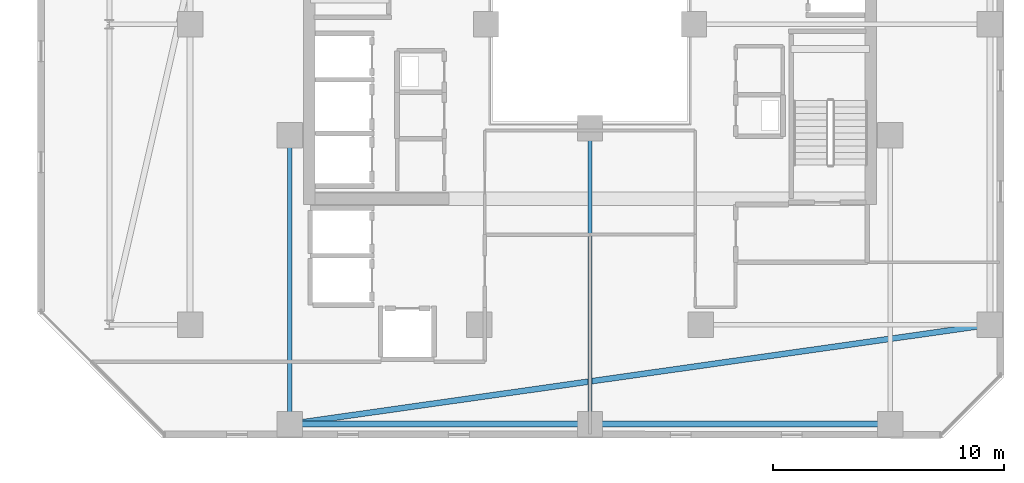
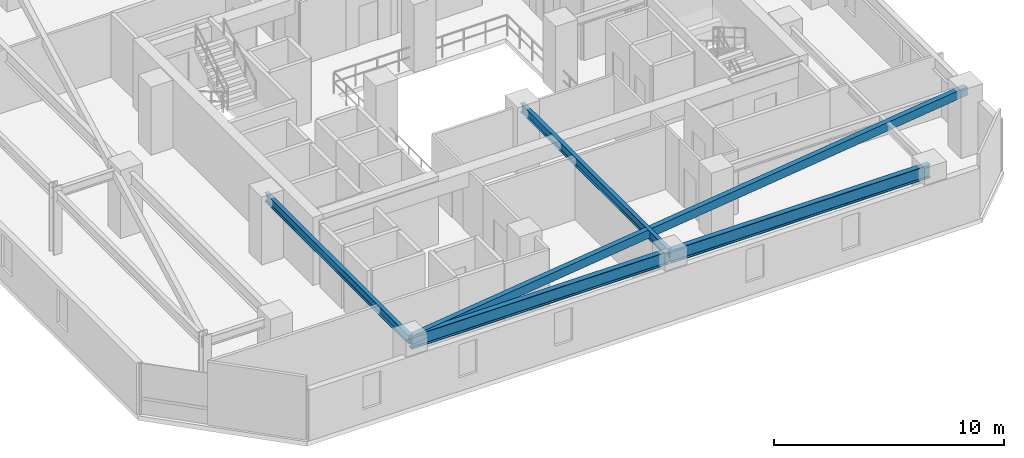
# One storey, part 12 of 33: 5 beams.
"""IFC4 building model written with IfcOpenShell, lengths in metres."""

from ifc_helpers import new_model, si_unit, direction, frame, origin, origin_2d, place, context, subcontext, project, spatial, hollow_rectangle, i_section, extrude, material, material_profile, profile_set, type_object, element, save


model = new_model("IFC4")

# Units and contexts
model_context = context("Model", 3, precision=1e-05, world=origin(), true_north=direction((0.0, 1.0)))
body_context = subcontext(model_context, "Body", "Model", "MODEL_VIEW")
ifc_project = project(units=[si_unit("LENGTHUNIT", "METRE"), si_unit("AREAUNIT", "SQUARE_METRE"), si_unit("VOLUMEUNIT", "CUBIC_METRE"), si_unit("PLANEANGLEUNIT", "RADIAN"), si_unit("MASSUNIT", "GRAM", prefix="KILO")], contexts=[model_context])

# Site, building, storey
site_placement = place(None, origin())
site = spatial("IfcSite", under=ifc_project, at=site_placement, CompositionType="ELEMENT")
building_placement = place(site_placement, origin())
building = spatial("IfcBuilding", under=site, at=building_placement, Name="Thornwick Lancets Civic Towers", CompositionType="ELEMENT")
storey_placement = place(building_placement, frame((0.0, 0.0, 185.699951171875)))
storey = spatial("IfcBuildingStorey", under=building, at=storey_placement, Name="L49", CompositionType="ELEMENT", Elevation=185.699951171875)

# Beams
ifc_material = material(Name="Steel S355JR", Category="steel")
ifc_material_profile_1 = material_profile(ifc_material, i_section(OverallWidth=0.255859375, OverallDepth=0.69287109375, WebThickness=0.014404296875, FlangeThickness=0.023681640625, FilletRadius=0.01513671875, at=origin_2d()), Name="UKB 686x254x170")
ifc_profile_set_1 = profile_set([ifc_material_profile_1], Name="Steel S355JR")
beam_type_1 = type_object("IfcBeamType", Name="BM_GIRD_686_170", PredefinedType="BEAM", material=ifc_profile_set_1)
beam_1_placement = place(storey_placement, frame((101.5, 9.699951171875, 3.013427734375), z_axis=(-1.0, 0.0, 0.0), x_axis=(0.0, -1.0, 0.0)))
element("IfcBeam", 1, at=beam_1_placement, inside=storey, type_object=beam_type_1, Name="BM-SPINE-L49-B-9-10", PredefinedType="BEAM", context=body_context, shape_type="SweptSolid", body=[
    extrude(i_section(OverallWidth=0.255859375, OverallDepth=0.69287109375, WebThickness=0.014404296875, FlangeThickness=0.023681640625, FilletRadius=0.01513671875, at=origin_2d()), origin(), (0.0, 0.0, 1.0), 13.0),
])
beam_2_placement = place(storey_placement, frame((88.419921875, 9.699951171875, 3.013427734375), z_axis=(-1.0, 0.0, 0.0), x_axis=(0.0, -1.0, 0.0)))
element("IfcBeam", 2, at=beam_2_placement, inside=storey, type_object=beam_type_1, Name="BM-SPINE-L49-B-10-11", PredefinedType="BEAM", context=body_context, shape_type="SweptSolid", body=[
    extrude(i_section(OverallWidth=0.255859375, OverallDepth=0.69287109375, WebThickness=0.014404296875, FlangeThickness=0.023681640625, FilletRadius=0.01513671875, at=origin_2d()), origin(), (0.0, 0.0, 1.0), 12.919921875),
])
ifc_material_profile_2 = material_profile(ifc_material, i_section(OverallWidth=0.19287109375, OverallDepth=0.46728515625, WebThickness=0.011474609375, FlangeThickness=0.01953125, FilletRadius=0.01025390625, at=origin_2d()), Name="UKB 457x191x98")
ifc_profile_set_2 = profile_set([ifc_material_profile_2], Name="Steel S355JR")
beam_type_2 = type_object("IfcBeamType", Name="BM_JOIST_457_98", PredefinedType="JOIST", material=ifc_profile_set_2)
beam_3_placement = place(storey_placement, frame((88.5, 22.5, 3.12646484375), z_axis=(0.0, -1.0, 0.0), x_axis=(1.0, 0.0, 0.0)))
element("IfcBeam", 3, at=beam_3_placement, inside=storey, type_object=beam_type_2, Name="BM-RADIN-L49-B11", PredefinedType="JOIST", context=body_context, shape_type="SweptSolid", body=[
    extrude(i_section(OverallWidth=0.19287109375, OverallDepth=0.46728515625, WebThickness=0.011474609375, FlangeThickness=0.01953125, FilletRadius=0.01025390625, at=origin_2d()), origin(), (0.0, 0.0, 1.0), 12.800048828125),
])
beam_4_placement = place(storey_placement, frame((75.5, 22.199951171875, 3.12646484375), z_axis=(0.0, -1.0, 0.0), x_axis=(1.0, 0.0, 0.0)))
element("IfcBeam", 4, at=beam_4_placement, inside=storey, type_object=beam_type_2, Name="BM-RADIN-L49-B12", PredefinedType="JOIST", context=body_context, shape_type="SweptSolid", body=[
    extrude(i_section(OverallWidth=0.19287109375, OverallDepth=0.46728515625, WebThickness=0.011474609375, FlangeThickness=0.01953125, FilletRadius=0.01025390625, at=origin_2d()), origin(), (0.0, 0.0, 1.0), 12.5),
])
ifc_material_profile_3 = material_profile(ifc_material, hollow_rectangle(XDim=0.25, YDim=0.449951171875, WallThickness=0.01611328125, at=origin_2d()), Name="RHS 450x250x16")
ifc_profile_set_3 = profile_set([ifc_material_profile_3], Name="Steel S355JR")
beam_type_3 = type_object("IfcBeamType", Name="BM_RING_RHS450", PredefinedType="BEAM", material=ifc_profile_set_3)
beam_5_placement = place(storey_placement, frame((75.5, 9.699951171875, 3.135009765625), z_axis=(0.990079584012, 0.140507712682, 0.0), x_axis=(-0.140507712682, 0.990079584012, 0.0)))
element("IfcBeam", 5, at=beam_5_placement, inside=storey, type_object=beam_type_3, Name="BM-CHAMF-L49-B-C3", PredefinedType="BEAM", context=body_context, shape_type="SweptSolid", body=[
    extrude(hollow_rectangle(XDim=0.25, YDim=0.449951171875, WallThickness=0.01611328125, at=origin_2d()), origin(), (0.0, 0.0, 1.0), 30.603759765625),
])

save(model, "model.ifc")
